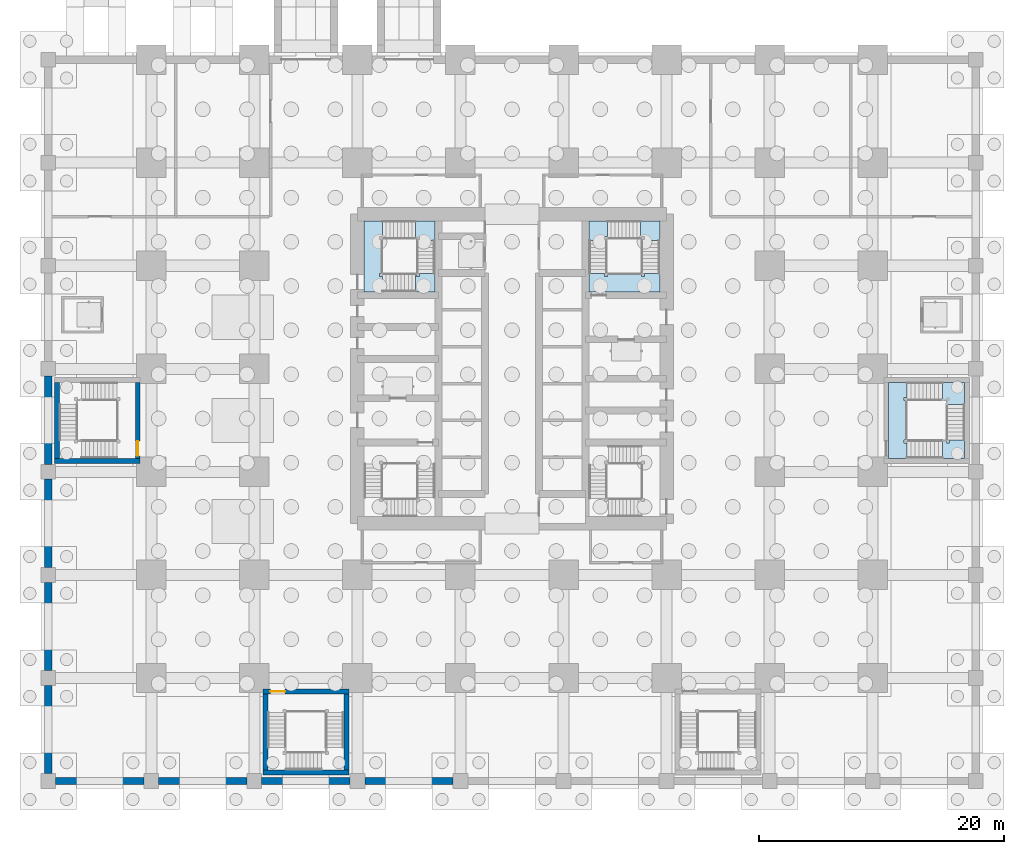
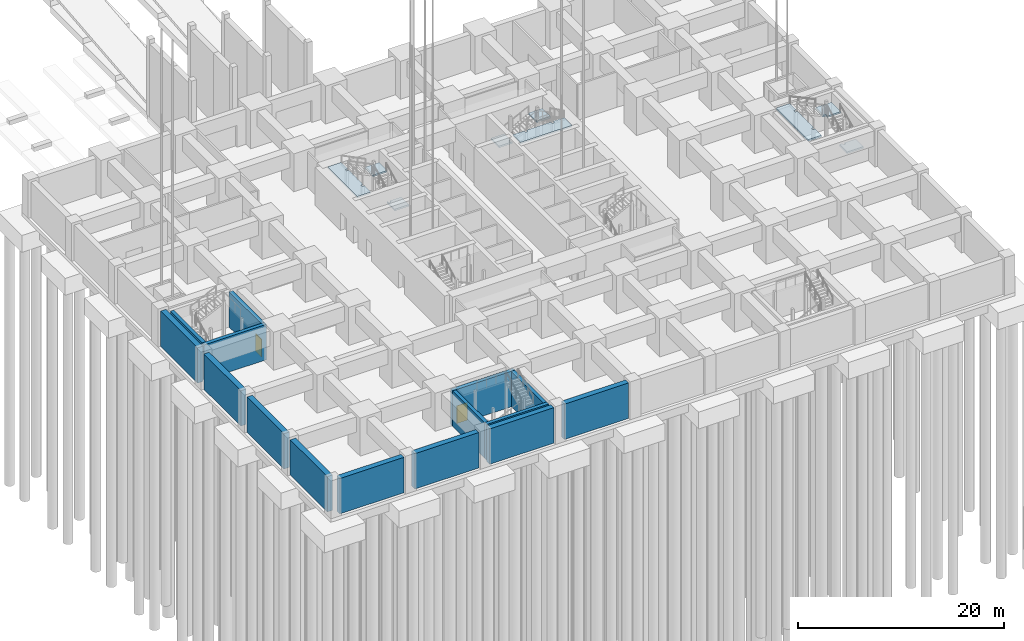
# One storey, part 7 of 28: 15 walls, 9 slabs, 2 doors, 2 openings, 3 elements without a shape of their own.
"""IFC4 building model written with IfcOpenShell, lengths in metres."""

from ifc_helpers import new_model, si_unit, direction, frame, frame_2d, origin, place, context, subcontext, project, spatial, polyline, rectangle, outline, extrude, material, layer, layer_set, type_object, element, fill, aggregate, save


model = new_model("IFC4")

# Units and contexts
model_context = context("Model", 3, precision=1e-05, world=origin(), true_north=direction((0.0, 1.0)))
body_context = subcontext(model_context, "Body", "Model", "MODEL_VIEW")
ifc_project = project(units=[si_unit("LENGTHUNIT", "METRE"), si_unit("AREAUNIT", "SQUARE_METRE"), si_unit("VOLUMEUNIT", "CUBIC_METRE"), si_unit("PLANEANGLEUNIT", "RADIAN"), si_unit("MASSUNIT", "GRAM", prefix="KILO")], contexts=[model_context])

# Site, building, storey
site_placement = place(None, origin())
site = spatial("IfcSite", under=ifc_project, at=site_placement, CompositionType="ELEMENT")
building_placement = place(site_placement, origin())
building = spatial("IfcBuilding", under=site, at=building_placement, Name="Rekha Terrace Tower", CompositionType="ELEMENT")
storey_placement = place(building_placement, frame((0.0, 0.0, -9.89990234375)))
storey = spatial("IfcBuildingStorey", under=building, at=storey_placement, Name="B-02", CompositionType="ELEMENT", Elevation=-9.89990234375)

# Stair, slabs
ifc_material_1 = material(Name="Concrete M40", Category="concrete")
stair_type_1 = type_object("IfcStairType", Name="ST30 stair, 30 risers of 150, going 320, 1500 wide flights, 3 flights", PredefinedType="HALF_TURN_STAIR", material=ifc_material_1)
stair_1_placement = place(storey_placement, origin())
stair_1 = element("IfcStair", 1, at=stair_1_placement, inside=storey, type_object=stair_type_1, Name="Stair SP2 B-02 to B-01", PredefinedType="HALF_TURN_STAIR")
ifc_layer_1 = layer(ifc_material_1, 0.199951171875)
ifc_layer_set_1 = layer_set([ifc_layer_1], Name="Concrete M40")
slab_type = type_object("IfcSlabType", Name="LD1 200 concrete stair landing", PredefinedType="LANDING", material=ifc_layer_set_1)
slab_1_placement = place(storey_placement, frame((0.0, 0.0, 1.2998046875)))
slab_1 = element("IfcSlab", 2, at=slab_1_placement, type_object=slab_type, Name="SP2 landing 1", PredefinedType="LANDING", context=body_context, shape_type="SweptSolid", body=[
    extrude(outline(polyline([(74.699951171875, 27.800048828125), (74.699951171875, 26.300048828125), (72.8798828125, 26.300048828125), (72.8798828125, 27.800048828125), (73.199951171875, 27.800048828125), (73.199951171875, 27.550048828125), (73.449951171875, 27.550048828125), (73.449951171875, 27.800048828125), (74.699951171875, 27.800048828125)])), origin(), (0.0, 0.0, 1.0), 0.2001953125),
])
slab_2_placement = place(storey_placement, frame((0.0, 0.0, 2.7998046875)))
slab_2 = element("IfcSlab", 3, at=slab_2_placement, type_object=slab_type, Name="SP2 landing 2", PredefinedType="LANDING", context=body_context, shape_type="SweptSolid", body=[
    extrude(outline(polyline([(72.8798828125, 31.0), (72.8798828125, 32.5), (74.699951171875, 32.5), (74.699951171875, 30.679931640625), (73.199951171875, 30.679931640625), (73.199951171875, 31.0), (72.8798828125, 31.0)])), origin(), (0.0, 0.0, 1.0), 0.2001953125),
])
slab_3_placement = place(storey_placement, frame((0.0, 0.0, 4.2998046875)))
slab_3 = element("IfcSlab", 4, at=slab_3_placement, type_object=slab_type, Name="SP2 landing 3", PredefinedType="LANDING", context=body_context, shape_type="SweptSolid", body=[
    extrude(outline(polyline([(70.0, 26.300048828125), (68.5, 26.300048828125), (68.5, 32.5), (70.0, 32.5), (70.0, 31.25), (69.75, 31.25), (69.75, 31.0), (70.0, 31.0), (70.0, 27.800048828125), (69.75, 27.800048828125), (69.75, 27.550048828125), (70.0, 27.550048828125), (70.0, 26.300048828125)])), origin(), (0.0, 0.0, 1.0), 0.2001953125),
])
aggregate(stair_1, [slab_1, slab_2, slab_3])

stair_type_2 = type_object("IfcStairType", Name="ST30 stair, 30 risers of 150, going 300, 1500 wide flights, 3 flights", PredefinedType="HALF_TURN_STAIR", material=ifc_material_1)
stair_2_placement = place(storey_placement, origin())
stair_2 = element("IfcStair", 5, at=stair_2_placement, inside=storey, type_object=stair_type_2, Name="Stair ST2 B-02 to B-01", PredefinedType="HALF_TURN_STAIR")
slab_4_placement = place(storey_placement, frame((0.0, 0.0, 1.2998046875)))
slab_4 = element("IfcSlab", 6, at=slab_4_placement, type_object=slab_type, Name="ST2 landing 1", PredefinedType="LANDING", context=body_context, shape_type="SweptSolid", body=[
    extrude(outline(polyline([(45.574951171875, 45.64990234375), (44.074951171875, 45.64990234375), (44.074951171875, 44.074951171875), (45.574951171875, 44.074951171875), (45.574951171875, 44.14990234375), (45.324951171875, 44.14990234375), (45.324951171875, 44.39990234375), (45.574951171875, 44.39990234375), (45.574951171875, 45.64990234375)])), origin(), (0.0, 0.0, 1.0), 0.2001953125),
])
slab_5_placement = place(storey_placement, frame((0.0, 0.0, 2.7998046875)))
slab_5 = element("IfcSlab", 7, at=slab_5_placement, type_object=slab_type, Name="ST2 landing 2", PredefinedType="LANDING", context=body_context, shape_type="SweptSolid", body=[
    extrude(outline(polyline([(48.35009765625, 44.074951171875), (49.85009765625, 44.074951171875), (49.85009765625, 45.64990234375), (48.27490234375, 45.64990234375), (48.27490234375, 44.14990234375), (48.35009765625, 44.14990234375), (48.35009765625, 44.074951171875)])), origin(), (0.0, 0.0, 1.0), 0.2001953125),
])
slab_6_placement = place(storey_placement, frame((0.0, 0.0, 4.2998046875)))
slab_6 = element("IfcSlab", 8, at=slab_6_placement, type_object=slab_type, Name="ST2 landing 3", PredefinedType="LANDING", context=body_context, shape_type="SweptSolid", body=[
    extrude(outline(polyline([(44.074951171875, 41.375), (44.074951171875, 39.875), (49.85009765625, 39.875), (49.85009765625, 41.375), (48.60009765625, 41.375), (48.60009765625, 41.125), (48.35009765625, 41.125), (48.35009765625, 41.375), (45.574951171875, 41.375), (45.574951171875, 41.125), (45.324951171875, 41.125), (45.324951171875, 41.375), (44.074951171875, 41.375)])), origin(), (0.0, 0.0, 1.0), 0.2001953125),
])
aggregate(stair_2, [slab_4, slab_5, slab_6])

stair_3_placement = place(storey_placement, origin())
stair_3 = element("IfcStair", 9, at=stair_3_placement, inside=storey, type_object=stair_type_2, Name="Stair ST4 B-02 to B-01", PredefinedType="HALF_TURN_STAIR")
slab_7_placement = place(storey_placement, frame((0.0, 0.0, 1.2998046875)))
slab_7 = element("IfcSlab", 10, at=slab_7_placement, type_object=slab_type, Name="ST4 landing 1", PredefinedType="LANDING", context=body_context, shape_type="SweptSolid", body=[
    extrude(outline(polyline([(31.52490234375, 41.375), (31.52490234375, 39.875), (29.949951171875, 39.875), (29.949951171875, 41.375), (30.02490234375, 41.375), (30.02490234375, 41.125), (30.27490234375, 41.125), (30.27490234375, 41.375), (31.52490234375, 41.375)])), origin(), (0.0, 0.0, 1.0), 0.2001953125),
])
slab_8_placement = place(storey_placement, frame((0.0, 0.0, 2.7998046875)))
slab_8 = element("IfcSlab", 11, at=slab_8_placement, type_object=slab_type, Name="ST4 landing 2", PredefinedType="LANDING", context=body_context, shape_type="SweptSolid", body=[
    extrude(outline(polyline([(29.949951171875, 44.14990234375), (29.949951171875, 45.64990234375), (31.52490234375, 45.64990234375), (31.52490234375, 44.074951171875), (30.02490234375, 44.074951171875), (30.02490234375, 44.14990234375), (29.949951171875, 44.14990234375)])), origin(), (0.0, 0.0, 1.0), 0.2001953125),
])
slab_9_placement = place(storey_placement, frame((0.0, 0.0, 4.2998046875)))
slab_9 = element("IfcSlab", 12, at=slab_9_placement, type_object=slab_type, Name="ST4 landing 3", PredefinedType="LANDING", context=body_context, shape_type="SweptSolid", body=[
    extrude(outline(polyline([(27.25, 39.875), (25.75, 39.875), (25.75, 45.64990234375), (27.25, 45.64990234375), (27.25, 44.39990234375), (27.0, 44.39990234375), (27.0, 44.14990234375), (27.25, 44.14990234375), (27.25, 41.375), (27.0, 41.375), (27.0, 41.125), (27.25, 41.125), (27.25, 39.875)])), origin(), (0.0, 0.0, 1.0), 0.2001953125),
])
aggregate(stair_3, [slab_7, slab_8, slab_9])

# Walls
ifc_layer_2 = layer(ifc_material_1, 0.60009765625)
ifc_layer_set_2 = layer_set([ifc_layer_2], Name="Concrete M40")
wall_type_1 = type_object("IfcWallType", Name="RW1 600 basement retaining wall", PredefinedType="SOLIDWALL", material=ifc_layer_set_2)
for number, where, z_axis, x_axis, name in (
    (13, (0.60009765625, 0.0, 0.0), (0.0, 0.0, 1.0), (1.0, 0.0, 0.0), "Basement retaining wall RW1 1A-2A B-02"),
    (14, (9.0, 0.0, 0.0), (0.0, 0.0, 1.0), (1.0, 0.0, 0.0), "Basement retaining wall RW1 2A-3A B-02"),
):
    element("IfcWall", number, at=place(storey_placement, frame(where, z_axis=z_axis, x_axis=x_axis)), inside=storey, type_object=wall_type_1, Name=name, PredefinedType="SOLIDWALL", context=body_context, shape_type="SweptSolid", body=[
        extrude(rectangle(XDim=7.199951171875, YDim=0.60009765625, at=frame_2d((3.60009765625, 0.0))), origin(), (0.0, 0.0, 1.0), 4.199951171875),
    ])
wall_1_placement = place(storey_placement, frame((17.39990234375, 0.0, 0.0), z_axis=(0.0, 0.0, 1.0), x_axis=(1.0, 0.0, 0.0)))
element("IfcWall", 15, at=wall_1_placement, inside=storey, type_object=wall_type_1, Name="Basement retaining wall RW1 3A-4A B-02", PredefinedType="SOLIDWALL", context=body_context, shape_type="SweptSolid", body=[
    extrude(rectangle(XDim=7.2001953125, YDim=0.60009765625, at=frame_2d((3.60009765625, 0.0))), origin(), (0.0, 0.0, 1.0), 4.199951171875),
])
for number, where, z_axis, x_axis, name in (
    (16, (25.800048828125, 0.0, 0.0), (0.0, 0.0, 1.0), (1.0, 0.0, 0.0), "Basement retaining wall RW1 4A-5A B-02"),
    (17, (0.0, 0.60009765625, 0.0), (0.0, 0.0, 1.0), (0.0, 1.0, 0.0), "Basement retaining wall RW1 1A-1B B-02"),
    (18, (0.0, 9.0, 0.0), (0.0, 0.0, 1.0), (0.0, 1.0, 0.0), "Basement retaining wall RW1 1B-1C B-02"),
):
    element("IfcWall", number, at=place(storey_placement, frame(where, z_axis=z_axis, x_axis=x_axis)), inside=storey, type_object=wall_type_1, Name=name, PredefinedType="SOLIDWALL", context=body_context, shape_type="SweptSolid", body=[
        extrude(rectangle(XDim=7.199951171875, YDim=0.60009765625, at=frame_2d((3.60009765625, 0.0))), origin(), (0.0, 0.0, 1.0), 4.199951171875),
    ])
wall_2_placement = place(storey_placement, frame((0.0, 17.39990234375, 0.0), z_axis=(0.0, 0.0, 1.0), x_axis=(0.0, 1.0, 0.0)))
element("IfcWall", 19, at=wall_2_placement, inside=storey, type_object=wall_type_1, Name="Basement retaining wall RW1 1C-1D B-02", PredefinedType="SOLIDWALL", context=body_context, shape_type="SweptSolid", body=[
    extrude(rectangle(XDim=7.2001953125, YDim=0.60009765625, at=frame_2d((3.60009765625, 0.0))), origin(), (0.0, 0.0, 1.0), 4.199951171875),
])
wall_3_placement = place(storey_placement, frame((0.0, 25.800048828125, 0.0), z_axis=(0.0, 0.0, 1.0), x_axis=(0.0, 1.0, 0.0)))
element("IfcWall", 20, at=wall_3_placement, inside=storey, type_object=wall_type_1, Name="Basement retaining wall RW1 1D-1E B-02", PredefinedType="SOLIDWALL", context=body_context, shape_type="SweptSolid", body=[
    extrude(rectangle(XDim=7.199951171875, YDim=0.60009765625, at=frame_2d((3.60009765625, 0.0))), origin(), (0.0, 0.0, 1.0), 4.199951171875),
])
ifc_material_2 = material(Name="Concrete M60", Category="concrete")
ifc_layer_3 = layer(ifc_material_2, 0.39990234375)
ifc_layer_set_3 = layer_set([ifc_layer_3], Name="Concrete M60")
wall_type_2 = type_object("IfcWallType", Name="WS3 400 RC podium stair wall", PredefinedType="SOLIDWALL", material=ifc_layer_set_3)
wall_4_placement = place(storey_placement, frame((0.5, 26.10009765625, 0.0), z_axis=(0.0, 0.0, 1.0), x_axis=(1.0, 0.0, 0.0)))
element("IfcWall", 21, at=wall_4_placement, inside=storey, type_object=wall_type_2, Name="Stair SP1 south wall", PredefinedType="SOLIDWALL", context=body_context, shape_type="SweptSolid", body=[
    extrude(rectangle(XDim=7.0, YDim=0.39990234375, at=frame_2d((3.5, 0.0))), origin(), (0.0, 0.0, 1.0), 4.199951171875),
])
wall_5_placement = place(storey_placement, frame((0.699951171875, 26.300048828125, 0.0), z_axis=(0.0, 0.0, 1.0), x_axis=(0.0, 1.0, 0.0)))
element("IfcWall", 22, at=wall_5_placement, inside=storey, type_object=wall_type_2, Name="Stair SP1 west wall", PredefinedType="SOLIDWALL", context=body_context, shape_type="SweptSolid", body=[
    extrude(rectangle(XDim=6.199951171875, YDim=0.39990234375, at=frame_2d((3.10009765625, 0.0))), origin(), (0.0, 0.0, 1.0), 4.199951171875),
])

# Wall, opening, door
wall_6_placement = place(storey_placement, frame((7.300048828125, 26.300048828125, 0.0), z_axis=(0.0, 0.0, 1.0), x_axis=(0.0, 1.0, 0.0)))
wall_6 = element("IfcWall", 23, at=wall_6_placement, inside=storey, type_object=wall_type_2, Name="Stair SP1 east wall", PredefinedType="SOLIDWALL", context=body_context, shape_type="SweptSolid", body=[
    extrude(rectangle(XDim=6.199951171875, YDim=0.39990234375, at=frame_2d((3.10009765625, 0.0))), origin(), (0.0, 0.0, 1.0), 4.199951171875),
])
opening_1_placement = place(wall_6_placement, frame((0.199951171875, 0.0, 0.0)))
opening_1 = element("IfcOpeningElement", 24, at=opening_1_placement, cuts=wall_6, Name="Opening D1", PredefinedType="OPENING", context=body_context, shape_type="SweptSolid", body=[
    extrude(rectangle(XDim=1.199951171875, YDim=2.10009765625, at=frame_2d((0.60009765625, 1.050048828125))), frame((0.0, 0.2099609375, 0.0), z_axis=(0.0, -1.0, 0.0), x_axis=(1.0, 0.0, 0.0)), (0.0, 0.0, 1.0), 0.419921875),
])
ifc_material_3 = material(Name="Steel fire door", Category="steel")
door_type = type_object("IfcDoorType", Name="D1 1200x2100 stair fire door", OperationType="SINGLE_SWING_RIGHT", PredefinedType="DOOR", material=ifc_material_3)
door_1_placement = place(opening_1_placement, origin())
door_1 = element("IfcDoor", 25, at=door_1_placement, inside=storey, type_object=door_type, Name="Stair SP1 door B-02", OperationType="SINGLE_SWING_RIGHT", OverallHeight=2.10009765625, OverallWidth=1.199951171875, PredefinedType="DOOR", context=body_context, shape_type="SweptSolid", body=[
    extrude(rectangle(XDim=1.199951171875, YDim=2.10009765625, at=frame_2d((0.60009765625, 1.050048828125))), frame((0.0, 0.02490234375, 0.0), z_axis=(0.0, -1.0, 0.0), x_axis=(1.0, 0.0, 0.0)), (0.0, 0.0, 1.0), 0.050048828125),
])
fill(opening_1, door_1)

# Wall
wall_7_placement = place(storey_placement, frame((17.5, 0.699951171875, 0.0), z_axis=(0.0, 0.0, 1.0), x_axis=(1.0, 0.0, 0.0)))
element("IfcWall", 26, at=wall_7_placement, inside=storey, type_object=wall_type_2, Name="Stair SP3 south wall", PredefinedType="SOLIDWALL", context=body_context, shape_type="SweptSolid", body=[
    extrude(rectangle(XDim=7.0, YDim=0.39990234375, at=frame_2d((3.5, 0.0))), origin(), (0.0, 0.0, 1.0), 4.199951171875),
])

# Wall, opening, door
wall_8_placement = place(storey_placement, frame((17.5, 7.300048828125, 0.0), z_axis=(0.0, 0.0, 1.0), x_axis=(1.0, 0.0, 0.0)))
wall_8 = element("IfcWall", 27, at=wall_8_placement, inside=storey, type_object=wall_type_2, Name="Stair SP3 north wall", PredefinedType="SOLIDWALL", context=body_context, shape_type="SweptSolid", body=[
    extrude(rectangle(XDim=7.0, YDim=0.39990234375, at=frame_2d((3.5, 0.0))), origin(), (0.0, 0.0, 1.0), 4.199951171875),
])
opening_2_placement = place(wall_8_placement, frame((0.60009765625, 0.0, 0.0)))
opening_2 = element("IfcOpeningElement", 28, at=opening_2_placement, cuts=wall_8, Name="Opening D1", PredefinedType="OPENING", context=body_context, shape_type="SweptSolid", body=[
    extrude(rectangle(XDim=1.199951171875, YDim=2.10009765625, at=frame_2d((0.60009765625, 1.050048828125))), frame((0.0, 0.2099609375, 0.0), z_axis=(0.0, -1.0, 0.0), x_axis=(1.0, 0.0, 0.0)), (0.0, 0.0, 1.0), 0.419921875),
])
door_2_placement = place(opening_2_placement, origin())
door_2 = element("IfcDoor", 29, at=door_2_placement, inside=storey, type_object=door_type, Name="Stair SP3 door B-02", OperationType="SINGLE_SWING_RIGHT", OverallHeight=2.10009765625, OverallWidth=1.199951171875, PredefinedType="DOOR", context=body_context, shape_type="SweptSolid", body=[
    extrude(rectangle(XDim=1.199951171875, YDim=2.10009765625, at=frame_2d((0.60009765625, 1.050048828125))), frame((0.0, 0.02490234375, 0.0), z_axis=(0.0, -1.0, 0.0), x_axis=(1.0, 0.0, 0.0)), (0.0, 0.0, 1.0), 0.050048828125),
])
fill(opening_2, door_2)

# Walls
for number, where, z_axis, x_axis, name in (
    (30, (17.699951171875, 0.89990234375, 0.0), (0.0, 0.0, 1.0), (0.0, 1.0, 0.0), "Stair SP3 west wall"),
    (31, (24.300048828125, 0.89990234375, 0.0), (0.0, 0.0, 1.0), (0.0, 1.0, 0.0), "Stair SP3 east wall"),
):
    element("IfcWall", number, at=place(storey_placement, frame(where, z_axis=z_axis, x_axis=x_axis)), inside=storey, type_object=wall_type_2, Name=name, PredefinedType="SOLIDWALL", context=body_context, shape_type="SweptSolid", body=[
        extrude(rectangle(XDim=6.2001953125, YDim=0.39990234375, at=frame_2d((3.10009765625, 0.0))), origin(), (0.0, 0.0, 1.0), 4.199951171875),
    ])

save(model, "model.ifc")
